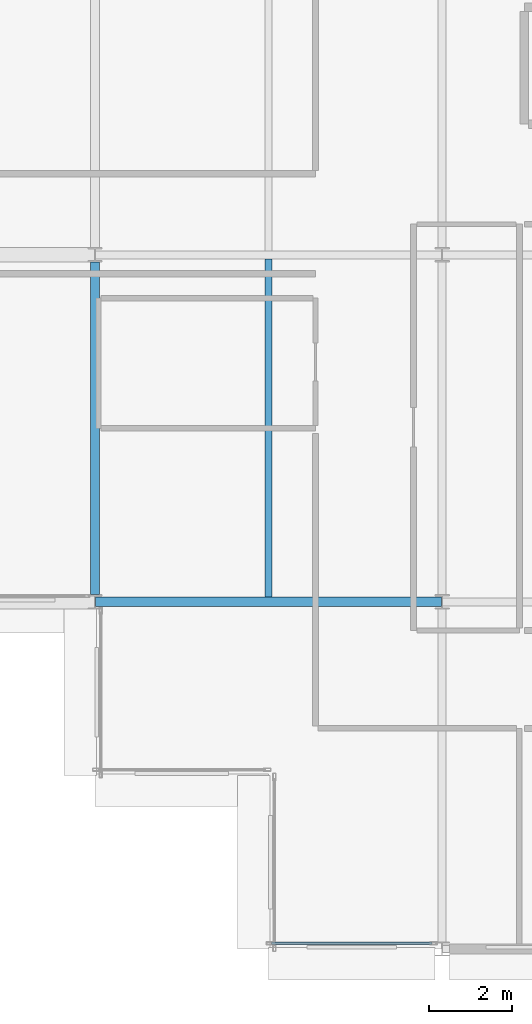
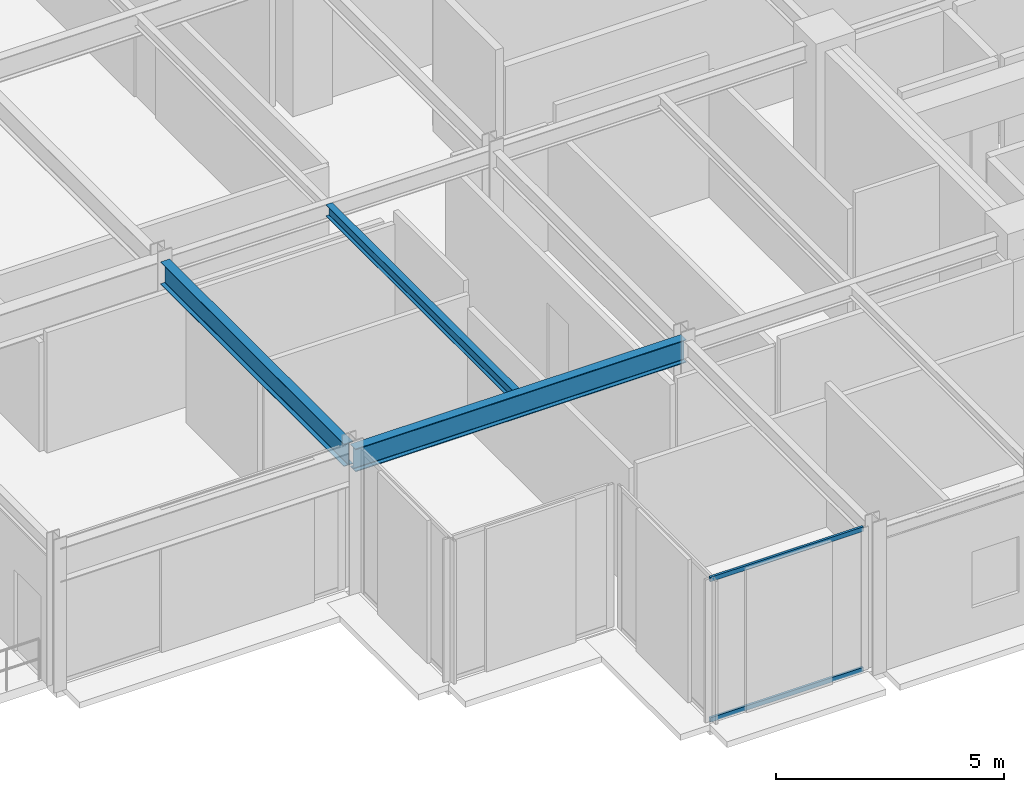
# One storey, part 5 of 29: 3 beams, 2 members, 1 element without a shape of its own.
"""IFC4 building model written with IfcOpenShell, lengths in metres."""

from ifc_helpers import new_model, si_unit, direction, frame, origin, origin_2d, place, context, subcontext, project, spatial, hollow_rectangle, i_section, extrude, material, layer, layer_set, material_profile, profile_set, type_object, element, aggregate, save


model = new_model("IFC4")

# Units and contexts
model_context = context("Model", 3, precision=1e-05, world=origin(), true_north=direction((0.0, 1.0)))
body_context = subcontext(model_context, "Body", "Model", "MODEL_VIEW")
ifc_project = project(units=[si_unit("LENGTHUNIT", "METRE"), si_unit("AREAUNIT", "SQUARE_METRE"), si_unit("VOLUMEUNIT", "CUBIC_METRE"), si_unit("PLANEANGLEUNIT", "RADIAN"), si_unit("MASSUNIT", "GRAM", prefix="KILO")], contexts=[model_context])

# Site, building, storey
site_placement = place(None, origin())
site = spatial("IfcSite", under=ifc_project, at=site_placement, CompositionType="ELEMENT")
building_placement = place(site_placement, origin())
building = spatial("IfcBuilding", under=site, at=building_placement, Name="Nerrivon Quay Data Exchange", CompositionType="ELEMENT")
storey_placement = place(building_placement, frame((0.0, 0.0, 179.60009765625)))
storey = spatial("IfcBuildingStorey", under=building, at=storey_placement, Name="L42", CompositionType="ELEMENT", Elevation=179.60009765625)

# Beams
ifc_material_1 = material(Name="Steel Grade 350", Category="steel")
ifc_material_profile_1 = material_profile(ifc_material_1, i_section(OverallWidth=0.22900390625, OverallDepth=0.612060546875, WebThickness=0.011962890625, FlangeThickness=0.01953125, FilletRadius=0.013916015625, at=origin_2d()), Name="610UB125")
ifc_profile_set_1 = profile_set([ifc_material_profile_1], Name="Steel Grade 350")
beam_type_1 = type_object("IfcBeamType", Name="BM-G1-610UB125", PredefinedType="BEAM", material=ifc_profile_set_1)
beam_1_placement = place(storey_placement, frame((0.010009765625, 8.39990234375, 3.518798828125), z_axis=(1.0, 0.0, 0.0), x_axis=(0.0, 1.0, 0.0)))
element("IfcBeam", 1, at=beam_1_placement, inside=storey, type_object=beam_type_1, Name="L42 EW Girder Y=8.4 (0.0..8.4)", PredefinedType="BEAM", context=body_context, shape_type="SweptSolid", body=[
    extrude(i_section(OverallWidth=0.22900390625, OverallDepth=0.612060546875, WebThickness=0.011962890625, FlangeThickness=0.01953125, FilletRadius=0.013916015625, at=origin_2d()), origin(), (0.0, 0.0, 1.0), 8.3798828125),
])
ifc_material_profile_2 = material_profile(ifc_material_1, i_section(OverallWidth=0.22802734375, OverallDepth=0.60205078125, WebThickness=0.010498046875, FlangeThickness=0.014892578125, FilletRadius=0.013916015625, at=origin_2d()), Name="610UB101")
ifc_profile_set_2 = profile_set([ifc_material_profile_2], Name="Steel Grade 350")
beam_type_2 = type_object("IfcBeamType", Name="BM-G2-610UB101", PredefinedType="BEAM", material=ifc_profile_set_2)
beam_2_placement = place(storey_placement, frame((0.0, 8.574951171875, 3.52392578125), z_axis=(0.0, 1.0, 0.0), x_axis=(-1.0, 0.0, 0.0)))
element("IfcBeam", 2, at=beam_2_placement, inside=storey, type_object=beam_type_2, Name="L42 NS Girder X=0.0 (8.4..16.8)", PredefinedType="BEAM", context=body_context, shape_type="SweptSolid", body=[
    extrude(i_section(OverallWidth=0.22802734375, OverallDepth=0.60205078125, WebThickness=0.010498046875, FlangeThickness=0.014892578125, FilletRadius=0.013916015625, at=origin_2d()), origin(), (0.0, 0.0, 1.0), 8.050048828125),
])
ifc_material_profile_3 = material_profile(ifc_material_1, i_section(OverallWidth=0.166015625, OverallDepth=0.306884765625, WebThickness=0.006591796875, FlangeThickness=0.01171875, FilletRadius=0.011474609375, at=origin_2d()), Name="310UB46.2")
ifc_profile_set_3 = profile_set([ifc_material_profile_3], Name="Steel Grade 350")
beam_type_3 = type_object("IfcBeamType", Name="BM-J5-310UB46", PredefinedType="JOIST", material=ifc_profile_set_3)
beam_3_placement = place(storey_placement, frame((4.199951171875, 8.514404296875, 3.67138671875), z_axis=(0.0, 1.0, 0.0), x_axis=(-1.0, 0.0, 0.0)))
element("IfcBeam", 3, at=beam_3_placement, inside=storey, type_object=beam_type_3, Name="L42 Secondary Joist X=4.2 (8.4..16.8)", PredefinedType="JOIST", context=body_context, shape_type="SweptSolid", body=[
    extrude(i_section(OverallWidth=0.166015625, OverallDepth=0.306884765625, WebThickness=0.006591796875, FlangeThickness=0.01171875, FilletRadius=0.011474609375, at=origin_2d()), origin(), (0.0, 0.0, 1.0), 8.190185546875),
])

# Curtain wall, members
ifc_material_2 = material(Name="Anodised aluminium 6063-T6", Category="aluminium")
ifc_layer = layer(ifc_material_2, 0.195068359375)
ifc_layer_set = layer_set([ifc_layer], Name="Anodised aluminium 6063-T6")
curtain_wall_type = type_object("IfcCurtainWallType", Name="CW-SYS-06", PredefinedType="NOTDEFINED", material=ifc_layer_set)
curtain_wall_placement = place(storey_placement, origin())
curtain_wall = element("IfcCurtainWall", 4, at=curtain_wall_placement, inside=storey, type_object=curtain_wall_type, Name="L42 Unitised Curtain Wall 28", PredefinedType="NOTDEFINED")
ifc_material_profile_4 = material_profile(ifc_material_2, hollow_rectangle(XDim=0.06005859375, YDim=0.1201171875, WallThickness=0.003173828125, at=origin_2d()), Name="ALU-TRAN-120x60")
ifc_profile_set_4 = profile_set([ifc_material_profile_4], Name="Anodised aluminium 6063-T6")
member_type = type_object("IfcMemberType", Name="CWT-120x60", PredefinedType="USERDEFINED", material=ifc_profile_set_4)
member_1_placement = place(storey_placement, frame((8.14990234375, 0.139892578125, 0.032470703125), z_axis=(-1.0, 0.0, 0.0), x_axis=(0.0, -1.0, 0.0)))
member_1 = element("IfcMember", 5, at=member_1_placement, type_object=member_type, Name="CW06 transom 1.1", ObjectType="TRANSOM", PredefinedType="USERDEFINED", context=body_context, shape_type="SweptSolid", body=[
    extrude(hollow_rectangle(XDim=0.06005859375, YDim=0.1201171875, WallThickness=0.003173828125, at=origin_2d()), origin(), (0.0, 0.0, 1.0), 3.875),
])
member_2_placement = place(storey_placement, frame((8.14990234375, 0.139892578125, 3.79248046875), z_axis=(-1.0, 0.0, 0.0), x_axis=(0.0, -1.0, 0.0)))
member_2 = element("IfcMember", 6, at=member_2_placement, type_object=member_type, Name="CW06 transom 1.2", ObjectType="TRANSOM", PredefinedType="USERDEFINED", context=body_context, shape_type="SweptSolid", body=[
    extrude(hollow_rectangle(XDim=0.06005859375, YDim=0.1201171875, WallThickness=0.003173828125, at=origin_2d()), origin(), (0.0, 0.0, 1.0), 3.875),
])
aggregate(curtain_wall, [member_1, member_2])

save(model, "model.ifc")
